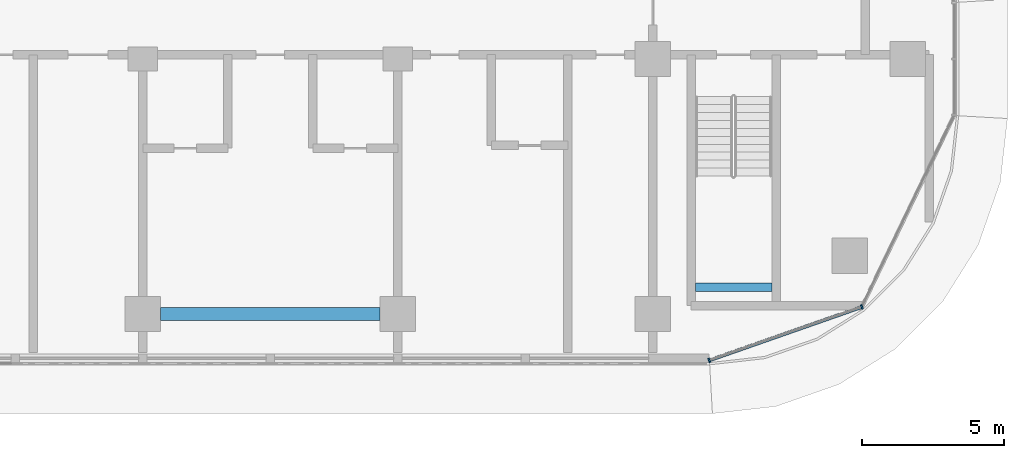
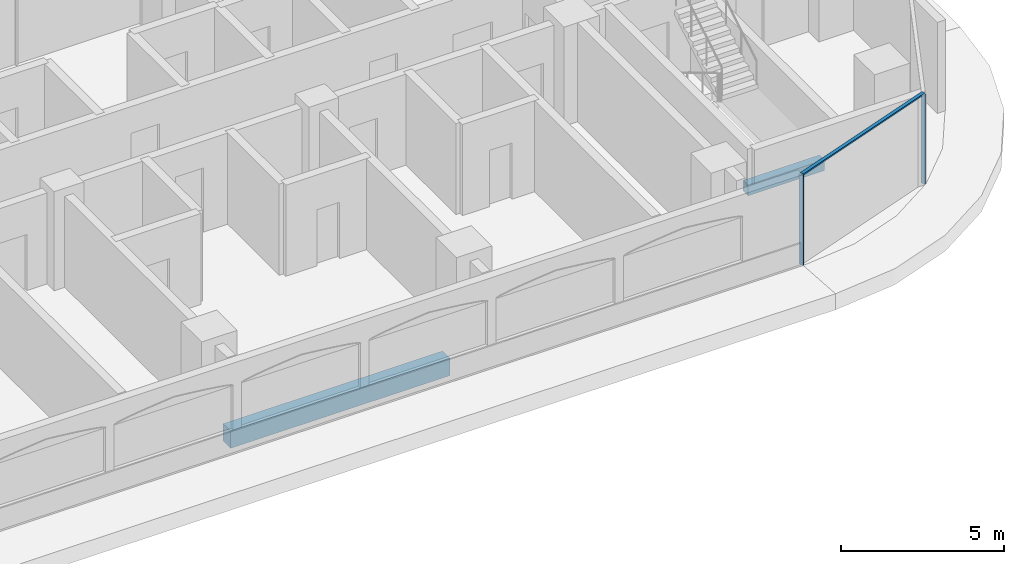
# One storey, part 3 of 25: 3 members, 2 beams, 1 element without a shape of its own.
"""IFC4 building model written with IfcOpenShell, lengths in metres."""

from ifc_helpers import new_model, si_unit, direction, frame, origin, origin_2d, place, context, subcontext, project, spatial, rectangle, extrude, material, material_profile, profile_set, type_object, element, aggregate, save


model = new_model("IFC4")

# Units and contexts
model_context = context("Model", 3, precision=1e-05, world=origin(), true_north=direction((0.0, 1.0)))
body_context = subcontext(model_context, "Body", "Model", "MODEL_VIEW")
ifc_project = project(units=[si_unit("LENGTHUNIT", "METRE"), si_unit("AREAUNIT", "SQUARE_METRE"), si_unit("VOLUMEUNIT", "CUBIC_METRE"), si_unit("PLANEANGLEUNIT", "RADIAN"), si_unit("MASSUNIT", "GRAM", prefix="KILO")], contexts=[model_context])

# Site, building, storey
site_placement = place(None, origin())
site = spatial("IfcSite", under=ifc_project, at=site_placement, CompositionType="ELEMENT")
building_placement = place(site_placement, origin())
building = spatial("IfcBuilding", under=site, at=building_placement, Name="Ogive Portal Towers", CompositionType="ELEMENT")
storey_placement = place(building_placement, frame((0.0, 0.0, 124.10009765625)))
storey = spatial("IfcBuildingStorey", under=building, at=storey_placement, Name="L30", CompositionType="ELEMENT", Elevation=124.10009765625)

# Beam
ifc_material_1 = material(Name="Concrete C40/50", Category="concrete")
ifc_material_profile_1 = material_profile(ifc_material_1, rectangle(XDim=0.300048828125, YDim=0.39990234375, at=origin_2d()), Name="RC 300x400")
ifc_profile_set_1 = profile_set([ifc_material_profile_1], Name="Concrete C40/50")
beam_type_1 = type_object("IfcBeamType", Name="BEAM RC 300x400", PredefinedType="BEAM", material=ifc_profile_set_1)
beam_1_placement = place(storey_placement, frame((87.0, 22.449951171875, 1.449951171875), z_axis=(1.0, 0.0, 0.0), x_axis=(0.0, 1.0, 0.0)))
element("IfcBeam", 1, at=beam_1_placement, inside=storey, type_object=beam_type_1, Name="Landing beam L30", PredefinedType="BEAM", context=body_context, shape_type="SweptSolid", body=[
    extrude(rectangle(XDim=0.300048828125, YDim=0.39990234375, at=origin_2d()), origin(), (0.0, 0.0, 1.0), 2.699951171875),
])

# Curtain wall, members
ifc_material_2 = material(Name="Glass, clear low-iron insulated glazing", Category="glass")
curtain_wall_type = type_object("IfcCurtainWallType", Name="CW FRONT RIBBON 4500", PredefinedType="NOTDEFINED", material=ifc_material_2)
curtain_wall_placement = place(storey_placement, origin())
curtain_wall = element("IfcCurtainWall", 2, at=curtain_wall_placement, inside=storey, type_object=curtain_wall_type, Name="A:L30:f08:cwa", PredefinedType="NOTDEFINED")
ifc_material_3 = material(Name="Aluminium 6063 anodised", Category="aluminium")
ifc_material_profile_2 = material_profile(ifc_material_3, rectangle(XDim=0.159912109375, YDim=0.06005859375, at=origin_2d()), Name="AL 60x160")
ifc_profile_set_2 = profile_set([ifc_material_profile_2], Name="Aluminium 6063 anodised")
member_type_1 = type_object("IfcMemberType", Name="CW MULLION 60x160", PredefinedType="MULLION", material=ifc_profile_set_2)
member_1_placement = place(storey_placement, frame((87.486328125, 19.864990234375, 0.0), z_axis=(0.0, 0.0, 1.0), x_axis=(-0.33027906196, 0.943883330307, 0.0)))
member_1 = element("IfcMember", 3, at=member_1_placement, type_object=member_type_1, Name="mullion", PredefinedType="MULLION", context=body_context, shape_type="SweptSolid", body=[
    extrude(rectangle(XDim=0.159912109375, YDim=0.06005859375, at=origin_2d()), origin(), (0.0, 0.0, 1.0), 3.33984375),
])
member_2_placement = place(storey_placement, frame((92.8759765625, 21.7509765625, 0.0), z_axis=(0.0, 0.0, 1.0), x_axis=(-0.33027906196, 0.943883330307, 0.0)))
member_2 = element("IfcMember", 4, at=member_2_placement, type_object=member_type_1, Name="mullion", PredefinedType="MULLION", context=body_context, shape_type="SweptSolid", body=[
    extrude(rectangle(XDim=0.159912109375, YDim=0.06005859375, at=origin_2d()), origin(), (0.0, 0.0, 1.0), 3.33984375),
])
ifc_material_profile_3 = material_profile(ifc_material_3, rectangle(XDim=0.1201171875, YDim=0.06005859375, at=origin_2d()), Name="AL 120x60")
ifc_profile_set_3 = profile_set([ifc_material_profile_3], Name="Aluminium 6063 anodised")
member_type_2 = type_object("IfcMemberType", Name="CW TRANSOM 60x120", PredefinedType="USERDEFINED", material=ifc_profile_set_3)
member_3_placement = place(storey_placement, frame((87.486328125, 19.864990234375, 3.369873046875), z_axis=(0.943879684746, 0.330289480189, 0.0), x_axis=(-0.330289480189, 0.943879684746, 0.0)))
member_3 = element("IfcMember", 5, at=member_3_placement, type_object=member_type_2, Name="transom", ObjectType="TRANSOM", PredefinedType="USERDEFINED", context=body_context, shape_type="SweptSolid", body=[
    extrude(rectangle(XDim=0.1201171875, YDim=0.06005859375, at=origin_2d()), origin(), (0.0, 0.0, 1.0), 5.710205078125),
])
aggregate(curtain_wall, [member_3, member_1, member_2])

# Beam
ifc_material_4 = material(Name="Concrete C50/60", Category="concrete")
ifc_material_profile_4 = material_profile(ifc_material_4, rectangle(XDim=0.449951171875, YDim=0.64990234375, at=origin_2d()), Name="RC 450x650")
ifc_profile_set_4 = profile_set([ifc_material_profile_4], Name="Concrete C50/60")
beam_type_2 = type_object("IfcBeamType", Name="SPANDREL BEAM RC 450x650", PredefinedType="BEAM", material=ifc_profile_set_4)
beam_2_placement = place(storey_placement, frame((75.875, 21.5, -0.625), z_axis=(-1.0, 0.0, 0.0), x_axis=(0.0, -1.0, 0.0)))
element("IfcBeam", 6, at=beam_2_placement, inside=storey, type_object=beam_type_2, Name="Spandrel beam L30", PredefinedType="BEAM", context=body_context, shape_type="SweptSolid", body=[
    extrude(rectangle(XDim=0.449951171875, YDim=0.64990234375, at=origin_2d()), origin(), (0.0, 0.0, 1.0), 7.75),
])

save(model, "model.ifc")
